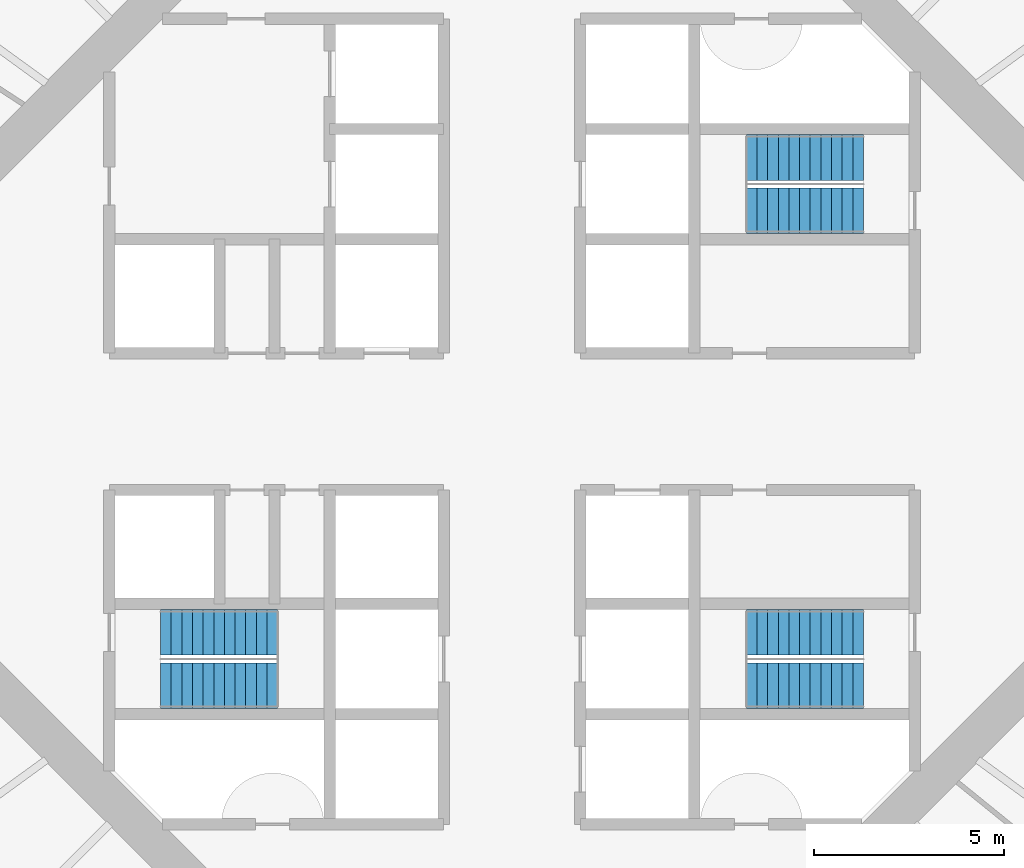
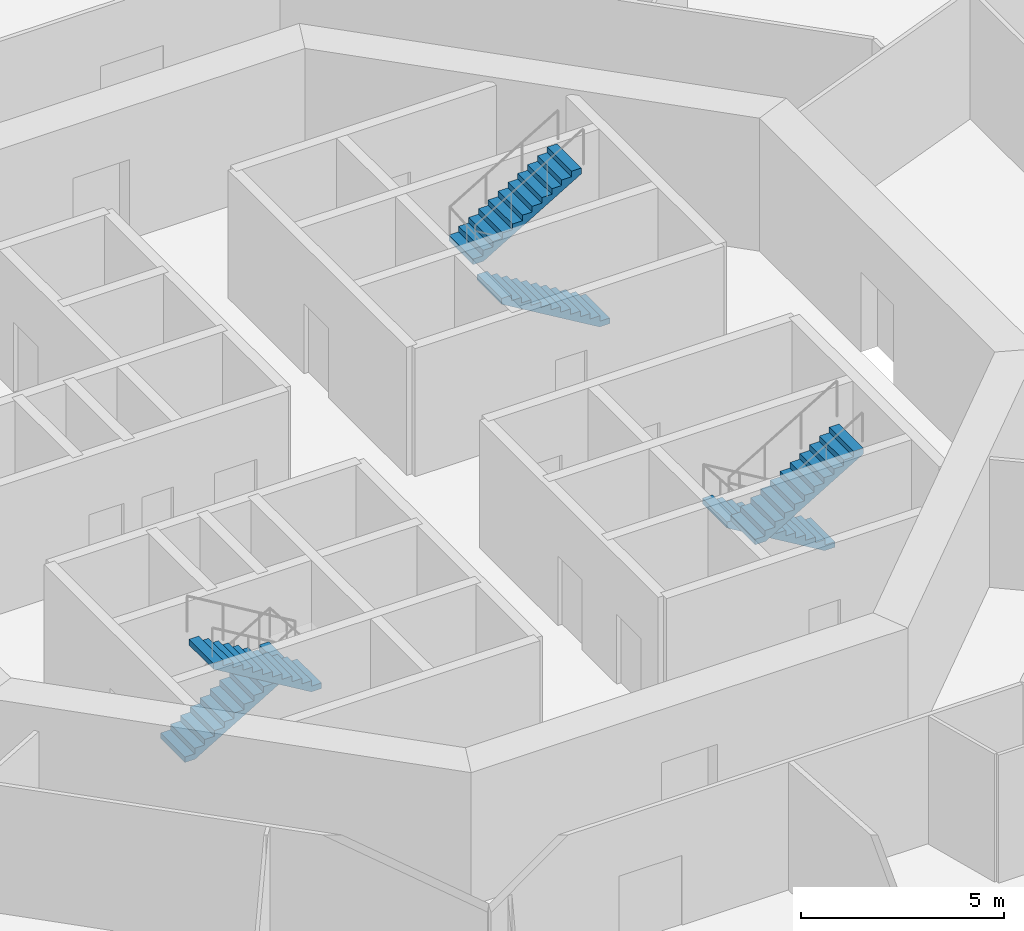
# One storey, part 6 of 13: 6 stair flights, 3 elements without a shape of their own.
"""IFC4 building model written with IfcOpenShell, lengths in metres."""

from ifc_helpers import new_model, si_unit, direction, frame, origin, place, context, subcontext, project, spatial, polyline, outline, extrude, material, type_object, element, aggregate, save


model = new_model("IFC4")

# Units and contexts
model_context = context("Model", 3, precision=1e-05, world=origin(), true_north=direction((0.0, 1.0)))
body_context = subcontext(model_context, "Body", "Model", "MODEL_VIEW")
ifc_project = project(units=[si_unit("LENGTHUNIT", "METRE"), si_unit("AREAUNIT", "SQUARE_METRE"), si_unit("VOLUMEUNIT", "CUBIC_METRE"), si_unit("PLANEANGLEUNIT", "RADIAN"), si_unit("MASSUNIT", "GRAM", prefix="KILO")], contexts=[model_context])

# Site, building, storey
site_placement = place(None, origin())
site = spatial("IfcSite", under=ifc_project, at=site_placement, CompositionType="ELEMENT")
building_placement = place(site_placement, origin())
building = spatial("IfcBuilding", under=site, at=building_placement, Name="Entoto Ring Tower", CompositionType="ELEMENT")
storey_placement = place(building_placement, frame((0.0, 0.0, 188.0)))
storey = spatial("IfcBuildingStorey", under=building, at=storey_placement, Name="L43", CompositionType="ELEMENT", Elevation=188.0)

# Stair, stair flights
ifc_material_1 = material(Name="Concrete C40/50", Category="concrete")
stair_type = type_object("IfcStairType", Name="Exit stair 1200 mm dog-leg reinforced concrete", PredefinedType="HALF_TURN_STAIR", material=ifc_material_1)
stair_1_placement = place(storey_placement, origin())
stair_1 = element("IfcStair", 1, at=stair_1_placement, inside=storey, type_object=stair_type, Name="Exit stair 1", PredefinedType="HALF_TURN_STAIR")
ifc_material_2 = material(Name="Concrete C40/50", Category="concrete")
stair_flight_type = type_object("IfcStairFlightType", Name="Stair flight 1200 mm reinforced concrete", PredefinedType="STRAIGHT", material=ifc_material_2)
stair_flight_1_placement = place(storey_placement, frame((99.25, 85.550048828125, 0.0), z_axis=(0.0, 0.0, 1.0), x_axis=(-1.0, 0.0, 0.0)))
stair_flight_1 = element("IfcStairFlight", 2, at=stair_flight_1_placement, type_object=stair_flight_type, Name="ST1 flight 1", NumberOfRisers=12, NumberOfTreads=11, PredefinedType="STRAIGHT", RiserHeight=0.166666667, TreadLength=0.28, context=body_context, shape_type="SweptSolid", body=[
    extrude(outline(polyline([(0.0, 0.0), (0.0, 0.166748046875), (0.280029296875, 0.166748046875), (0.280029296875, 0.333251953125), (0.56005859375, 0.333251953125), (0.56005859375, 0.5), (0.840087890625, 0.5), (0.840087890625, 0.666748046875), (1.1201171875, 0.666748046875), (1.1201171875, 0.833251953125), (1.39990234375, 0.833251953125), (1.39990234375, 1.0), (1.679931640625, 1.0), (1.679931640625, 1.166748046875), (1.9599609375, 1.166748046875), (1.9599609375, 1.333251953125), (2.239990234375, 1.333251953125), (2.239990234375, 1.5), (2.52001953125, 1.5), (2.52001953125, 1.666748046875), (2.800048828125, 1.666748046875), (2.800048828125, 1.833251953125), (3.080078125, 1.833251953125), (3.080078125, 2.0), (3.080078125, 1.658935546875), (0.29296875, 0.0), (0.0, 0.0)])), frame((0.0, 0.60009765625, 0.0), z_axis=(0.0, -1.0, 0.0), x_axis=(1.0, 0.0, 0.0)), (0.0, 0.0, 1.0), 1.199951171875),
])
stair_flight_2_placement = place(storey_placement, frame((96.169921875, 86.949951171875, 2.0), z_axis=(0.0, 0.0, 1.0), x_axis=(1.0, 0.0, 0.0)))
stair_flight_2 = element("IfcStairFlight", 3, at=stair_flight_2_placement, type_object=stair_flight_type, Name="ST1 flight 2", NumberOfRisers=12, NumberOfTreads=11, PredefinedType="STRAIGHT", RiserHeight=0.166666667, TreadLength=0.28, context=body_context, shape_type="SweptSolid", body=[
    extrude(outline(polyline([(0.0, 0.0), (0.0, 0.166748046875), (0.280029296875, 0.166748046875), (0.280029296875, 0.333251953125), (0.56005859375, 0.333251953125), (0.56005859375, 0.5), (0.840087890625, 0.5), (0.840087890625, 0.666748046875), (1.1201171875, 0.666748046875), (1.1201171875, 0.833251953125), (1.39990234375, 0.833251953125), (1.39990234375, 1.0), (1.679931640625, 1.0), (1.679931640625, 1.166748046875), (1.9599609375, 1.166748046875), (1.9599609375, 1.333251953125), (2.239990234375, 1.333251953125), (2.239990234375, 1.5), (2.52001953125, 1.5), (2.52001953125, 1.666748046875), (2.800048828125, 1.666748046875), (2.800048828125, 1.833251953125), (3.080078125, 1.833251953125), (3.080078125, 2.0), (3.080078125, 1.658935546875), (0.29296875, 0.0), (0.0, 0.0)])), frame((0.0, 0.60009765625, 0.0), z_axis=(0.0, -1.0, 0.0), x_axis=(1.0, 0.0, 0.0)), (0.0, 0.0, 1.0), 1.199951171875),
])
aggregate(stair_1, [stair_flight_1, stair_flight_2])

stair_2_placement = place(storey_placement, origin())
stair_2 = element("IfcStair", 4, at=stair_2_placement, inside=storey, type_object=stair_type, Name="Exit stair 2", PredefinedType="HALF_TURN_STAIR")
stair_flight_3_placement = place(storey_placement, frame((80.75, 74.449951171875, 0.0), z_axis=(0.0, 0.0, 1.0), x_axis=(1.0, 0.0, 0.0)))
stair_flight_3 = element("IfcStairFlight", 5, at=stair_flight_3_placement, type_object=stair_flight_type, Name="ST2 flight 1", NumberOfRisers=12, NumberOfTreads=11, PredefinedType="STRAIGHT", RiserHeight=0.166666667, TreadLength=0.28, context=body_context, shape_type="SweptSolid", body=[
    extrude(outline(polyline([(0.0, 0.0), (0.0, 0.166748046875), (0.280029296875, 0.166748046875), (0.280029296875, 0.333251953125), (0.56005859375, 0.333251953125), (0.56005859375, 0.5), (0.840087890625, 0.5), (0.840087890625, 0.666748046875), (1.1201171875, 0.666748046875), (1.1201171875, 0.833251953125), (1.39990234375, 0.833251953125), (1.39990234375, 1.0), (1.679931640625, 1.0), (1.679931640625, 1.166748046875), (1.9599609375, 1.166748046875), (1.9599609375, 1.333251953125), (2.239990234375, 1.333251953125), (2.239990234375, 1.5), (2.52001953125, 1.5), (2.52001953125, 1.666748046875), (2.800048828125, 1.666748046875), (2.800048828125, 1.833251953125), (3.080078125, 1.833251953125), (3.080078125, 2.0), (3.080078125, 1.658935546875), (0.29296875, 0.0), (0.0, 0.0)])), frame((0.0, 0.60009765625, 0.0), z_axis=(0.0, -1.0, 0.0), x_axis=(1.0, 0.0, 0.0)), (0.0, 0.0, 1.0), 1.199951171875),
])
stair_flight_4_placement = place(storey_placement, frame((83.830078125, 73.050048828125, 2.0), z_axis=(0.0, 0.0, 1.0), x_axis=(-1.0, 0.0, 0.0)))
stair_flight_4 = element("IfcStairFlight", 6, at=stair_flight_4_placement, type_object=stair_flight_type, Name="ST2 flight 2", NumberOfRisers=12, NumberOfTreads=11, PredefinedType="STRAIGHT", RiserHeight=0.166666667, TreadLength=0.28, context=body_context, shape_type="SweptSolid", body=[
    extrude(outline(polyline([(0.0, 0.0), (0.0, 0.166748046875), (0.280029296875, 0.166748046875), (0.280029296875, 0.333251953125), (0.56005859375, 0.333251953125), (0.56005859375, 0.5), (0.840087890625, 0.5), (0.840087890625, 0.666748046875), (1.1201171875, 0.666748046875), (1.1201171875, 0.833251953125), (1.39990234375, 0.833251953125), (1.39990234375, 1.0), (1.679931640625, 1.0), (1.679931640625, 1.166748046875), (1.9599609375, 1.166748046875), (1.9599609375, 1.333251953125), (2.239990234375, 1.333251953125), (2.239990234375, 1.5), (2.52001953125, 1.5), (2.52001953125, 1.666748046875), (2.800048828125, 1.666748046875), (2.800048828125, 1.833251953125), (3.080078125, 1.833251953125), (3.080078125, 2.0), (3.080078125, 1.658935546875), (0.29296875, 0.0), (0.0, 0.0)])), frame((0.0, 0.60009765625, 0.0), z_axis=(0.0, -1.0, 0.0), x_axis=(1.0, 0.0, 0.0)), (0.0, 0.0, 1.0), 1.199951171875),
])
aggregate(stair_2, [stair_flight_3, stair_flight_4])

stair_3_placement = place(storey_placement, origin())
stair_3 = element("IfcStair", 7, at=stair_3_placement, inside=storey, type_object=stair_type, Name="Exit stair 3", PredefinedType="HALF_TURN_STAIR")
stair_flight_5_placement = place(storey_placement, frame((99.25, 74.449951171875, 0.0), z_axis=(0.0, 0.0, 1.0), x_axis=(-1.0, 0.0, 0.0)))
stair_flight_5 = element("IfcStairFlight", 8, at=stair_flight_5_placement, type_object=stair_flight_type, Name="ST3 flight 1", NumberOfRisers=12, NumberOfTreads=11, PredefinedType="STRAIGHT", RiserHeight=0.166666667, TreadLength=0.28, context=body_context, shape_type="SweptSolid", body=[
    extrude(outline(polyline([(0.0, 0.0), (0.0, 0.166748046875), (0.280029296875, 0.166748046875), (0.280029296875, 0.333251953125), (0.56005859375, 0.333251953125), (0.56005859375, 0.5), (0.840087890625, 0.5), (0.840087890625, 0.666748046875), (1.1201171875, 0.666748046875), (1.1201171875, 0.833251953125), (1.39990234375, 0.833251953125), (1.39990234375, 1.0), (1.679931640625, 1.0), (1.679931640625, 1.166748046875), (1.9599609375, 1.166748046875), (1.9599609375, 1.333251953125), (2.239990234375, 1.333251953125), (2.239990234375, 1.5), (2.52001953125, 1.5), (2.52001953125, 1.666748046875), (2.800048828125, 1.666748046875), (2.800048828125, 1.833251953125), (3.080078125, 1.833251953125), (3.080078125, 2.0), (3.080078125, 1.658935546875), (0.29296875, 0.0), (0.0, 0.0)])), frame((0.0, 0.60009765625, 0.0), z_axis=(0.0, -1.0, 0.0), x_axis=(1.0, 0.0, 0.0)), (0.0, 0.0, 1.0), 1.199951171875),
])
stair_flight_6_placement = place(storey_placement, frame((96.169921875, 73.050048828125, 2.0), z_axis=(0.0, 0.0, 1.0), x_axis=(1.0, 0.0, 0.0)))
stair_flight_6 = element("IfcStairFlight", 9, at=stair_flight_6_placement, type_object=stair_flight_type, Name="ST3 flight 2", NumberOfRisers=12, NumberOfTreads=11, PredefinedType="STRAIGHT", RiserHeight=0.166666667, TreadLength=0.28, context=body_context, shape_type="SweptSolid", body=[
    extrude(outline(polyline([(0.0, 0.0), (0.0, 0.166748046875), (0.280029296875, 0.166748046875), (0.280029296875, 0.333251953125), (0.56005859375, 0.333251953125), (0.56005859375, 0.5), (0.840087890625, 0.5), (0.840087890625, 0.666748046875), (1.1201171875, 0.666748046875), (1.1201171875, 0.833251953125), (1.39990234375, 0.833251953125), (1.39990234375, 1.0), (1.679931640625, 1.0), (1.679931640625, 1.166748046875), (1.9599609375, 1.166748046875), (1.9599609375, 1.333251953125), (2.239990234375, 1.333251953125), (2.239990234375, 1.5), (2.52001953125, 1.5), (2.52001953125, 1.666748046875), (2.800048828125, 1.666748046875), (2.800048828125, 1.833251953125), (3.080078125, 1.833251953125), (3.080078125, 2.0), (3.080078125, 1.658935546875), (0.29296875, 0.0), (0.0, 0.0)])), frame((0.0, 0.60009765625, 0.0), z_axis=(0.0, -1.0, 0.0), x_axis=(1.0, 0.0, 0.0)), (0.0, 0.0, 1.0), 1.199951171875),
])
aggregate(stair_3, [stair_flight_5, stair_flight_6])

save(model, "model.ifc")
